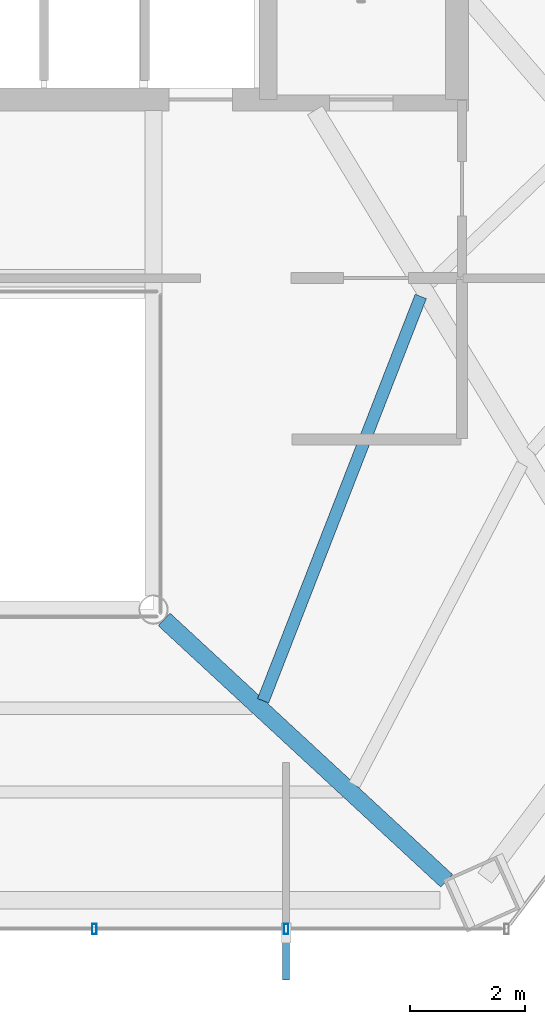
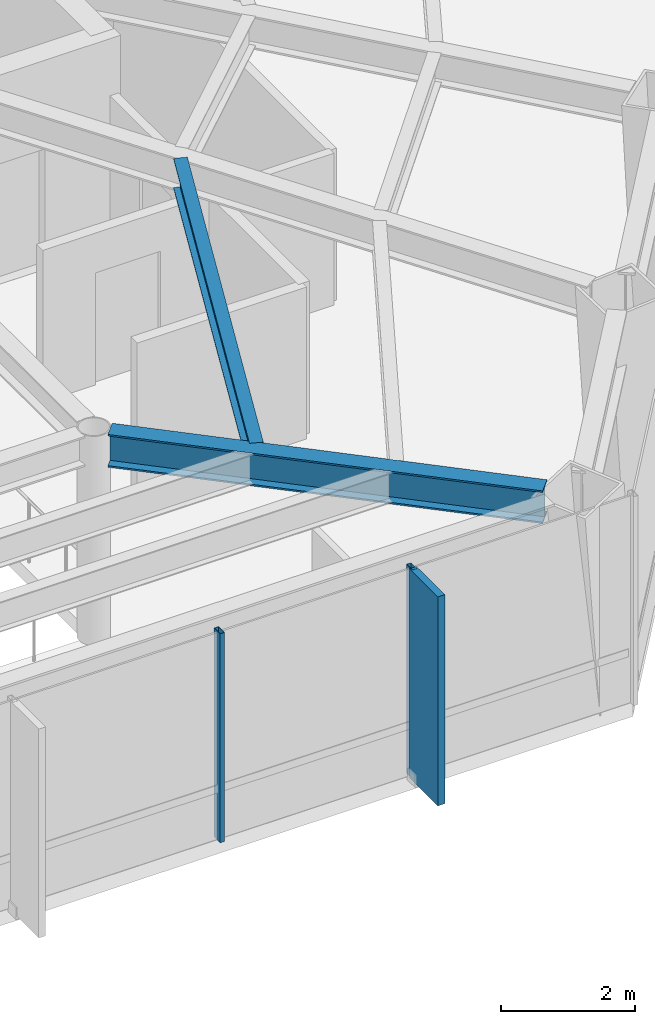
# One storey, part 9 of 26: 3 members, 2 beams, 1 element without a shape of its own.
"""IFC4 building model written with IfcOpenShell, lengths in metres."""

from ifc_helpers import new_model, si_unit, direction, frame, origin, origin_2d, place, context, subcontext, project, spatial, rectangle, hollow_rectangle, i_section, extrude, material, layer, layer_set, material_profile, profile_set, type_object, element, aggregate, save


model = new_model("IFC4")

# Units and contexts
model_context = context("Model", 3, precision=1e-05, world=origin(), true_north=direction((0.0, 1.0)))
body_context = subcontext(model_context, "Body", "Model", "MODEL_VIEW")
ifc_project = project(units=[si_unit("LENGTHUNIT", "METRE"), si_unit("AREAUNIT", "SQUARE_METRE"), si_unit("VOLUMEUNIT", "CUBIC_METRE"), si_unit("PLANEANGLEUNIT", "RADIAN"), si_unit("MASSUNIT", "GRAM", prefix="KILO")], contexts=[model_context])

# Site, building, storey
site_placement = place(None, origin())
site = spatial("IfcSite", under=ifc_project, at=site_placement, CompositionType="ELEMENT")
building_placement = place(site_placement, origin())
building = spatial("IfcBuilding", under=site, at=building_placement, Name="Zarrinselat Tower", CompositionType="ELEMENT")
storey_placement = place(building_placement, frame((0.0, 0.0, 60.179931640625)))
storey = spatial("IfcBuildingStorey", under=building, at=storey_placement, Name="L14", CompositionType="ELEMENT", Elevation=60.179931640625)

# Beams
ifc_material_1 = material(Name="Steel S355J2", Category="steel")
ifc_material_profile_1 = material_profile(ifc_material_1, i_section(OverallWidth=0.300048828125, OverallDepth=0.60009765625, WebThickness=0.015380859375, FlangeThickness=0.030029296875, at=origin_2d()), Name="HEB 600")
ifc_profile_set_1 = profile_set([ifc_material_profile_1], Name="Steel S355J2")
beam_type_1 = type_object("IfcBeamType", Name="BM-HEB600", PredefinedType="BEAM", material=ifc_profile_set_1)
beam_1_placement = place(storey_placement, frame((43.18359375, 24.230224609375, 3.52001953125), z_axis=(0.734093514164, -0.679048387423, 0.0), x_axis=(0.679048387423, 0.734093514164, 0.0)))
element("IfcBeam", 1, at=beam_1_placement, inside=storey, type_object=beam_type_1, Name="L14 Radial Primary Girder RG11", PredefinedType="BEAM", context=body_context, shape_type="SweptSolid", body=[
    extrude(i_section(OverallWidth=0.300048828125, OverallDepth=0.60009765625, WebThickness=0.015380859375, FlangeThickness=0.030029296875, at=origin_2d()), origin(), (0.0, 0.0, 1.0), 6.675048828125),
])
ifc_material_2 = material(Name="Steel S355J2", Category="steel")
ifc_material_profile_2 = material_profile(ifc_material_2, i_section(OverallWidth=0.2099609375, OverallDepth=0.550048828125, WebThickness=0.010986328125, FlangeThickness=0.01708984375, at=origin_2d()), Name="IPE 550")
ifc_profile_set_2 = profile_set([ifc_material_profile_2], Name="Steel S355J2")
beam_type_2 = type_object("IfcBeamType", Name="BM-IPE550", PredefinedType="JOIST", material=ifc_profile_set_2)
beam_2_placement = place(storey_placement, frame((44.900390625, 22.819580078125, 3.545166015625), z_axis=(0.363283613285, 0.931678601407, 0.0), x_axis=(-0.931678601407, 0.363283613285, 0.0)))
element("IfcBeam", 2, at=beam_2_placement, inside=storey, type_object=beam_type_2, Name="L14 Composite Floor Joist 2-2", PredefinedType="JOIST", context=body_context, shape_type="SweptSolid", body=[
    extrude(i_section(OverallWidth=0.2099609375, OverallDepth=0.550048828125, WebThickness=0.010986328125, FlangeThickness=0.01708984375, at=origin_2d()), origin(), (0.0, 0.0, 1.0), 7.526123046875),
])

# Curtain wall, members
ifc_material_3 = material(Name="Extruded Aluminium Alloy EN AW-6063 T6", Category="aluminium")
ifc_layer = layer(ifc_material_3, 0.18505859375)
ifc_layer_set = layer_set([ifc_layer], Name="Extruded Aluminium Alloy EN AW-6063 T6")
curtain_wall_type = type_object("IfcCurtainWallType", Name="CWS-OFF", PredefinedType="NOTDEFINED", material=ifc_layer_set)
curtain_wall_placement = place(storey_placement, origin())
curtain_wall = element("IfcCurtainWall", 3, at=curtain_wall_placement, inside=storey, type_object=curtain_wall_type, Name="L14 Unitised Curtain Wall CW-L14-E04", PredefinedType="NOTDEFINED")
ifc_material_4 = material(Name="Extruded Aluminium Alloy EN AW-6063 T6", Category="aluminium")
ifc_material_profile_3 = material_profile(ifc_material_4, hollow_rectangle(XDim=0.080078125, YDim=0.179931640625, WallThickness=0.0048828125, at=origin_2d()), Name="RHS 180x80x5")
ifc_profile_set_3 = profile_set([ifc_material_profile_3], Name="Extruded Aluminium Alloy EN AW-6063 T6")
member_type_1 = type_object("IfcMemberType", Name="MEM-CW-MUL", PredefinedType="MULLION", material=ifc_profile_set_3)
member_1_placement = place(storey_placement, frame((41.97412109375, 18.86181640625, 0.0), z_axis=(0.0, 0.0, 1.0), x_axis=(1.0, 0.0, 0.0)))
member_1 = element("IfcMember", 4, at=member_1_placement, type_object=member_type_1, Name="CW-L14-E04 Mullion 4", PredefinedType="MULLION", context=body_context, shape_type="SweptSolid", body=[
    extrude(hollow_rectangle(XDim=0.080078125, YDim=0.179931640625, WallThickness=0.0048828125, at=origin_2d()), origin(), (0.0, 0.0, 1.0), 3.820068359375),
])
member_2_placement = place(storey_placement, frame((45.300048828125, 18.86181640625, 0.0), z_axis=(0.0, 0.0, 1.0), x_axis=(1.0, 0.0, 0.0)))
member_2 = element("IfcMember", 5, at=member_2_placement, type_object=member_type_1, Name="CW-L14-E04 Mullion 5", PredefinedType="MULLION", context=body_context, shape_type="SweptSolid", body=[
    extrude(hollow_rectangle(XDim=0.080078125, YDim=0.179931640625, WallThickness=0.0048828125, at=origin_2d()), origin(), (0.0, 0.0, 1.0), 3.820068359375),
])
ifc_material_5 = material(Name="Honed Cream Travertine Stone", Category="masonry")
ifc_material_profile_4 = material_profile(ifc_material_5, rectangle(XDim=0.1201171875, YDim=0.85009765625, at=origin_2d()), Name="FIN 850x120")
ifc_profile_set_4 = profile_set([ifc_material_profile_4], Name="Honed Cream Travertine Stone")
member_type_2 = type_object("IfcMemberType", Name="MEM-STONE-FIN", PredefinedType="USERDEFINED", material=ifc_profile_set_4)
member_3_placement = place(storey_placement, frame((45.300048828125, 18.401611328125, 0.0), z_axis=(0.0, 0.0, 1.0), x_axis=(-1.0, 0.0, 0.0)))
member_3 = element("IfcMember", 6, at=member_3_placement, type_object=member_type_2, Name="L14 Stone Shading Fin CW-L14-E04-05", ObjectType="FIN", PredefinedType="USERDEFINED", context=body_context, shape_type="SweptSolid", body=[
    extrude(rectangle(XDim=0.1201171875, YDim=0.85009765625, at=origin_2d()), origin(), (0.0, 0.0, 1.0), 3.820068359375),
])
aggregate(curtain_wall, [member_1, member_2, member_3])

save(model, "model.ifc")
